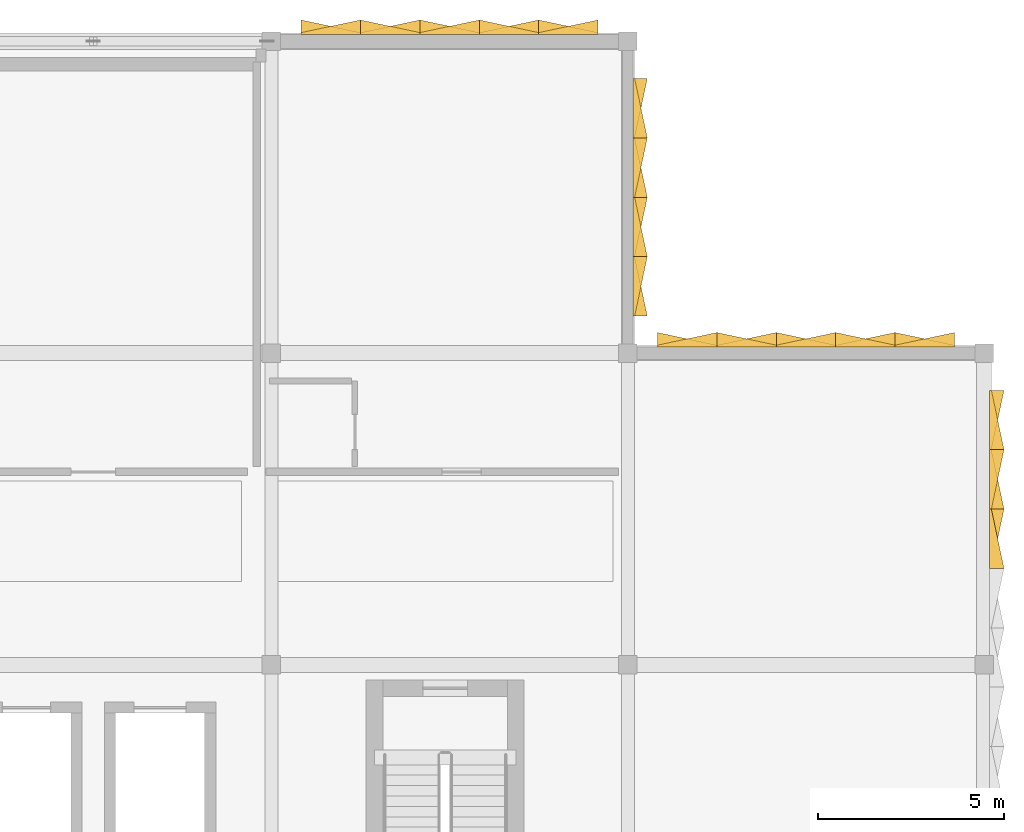
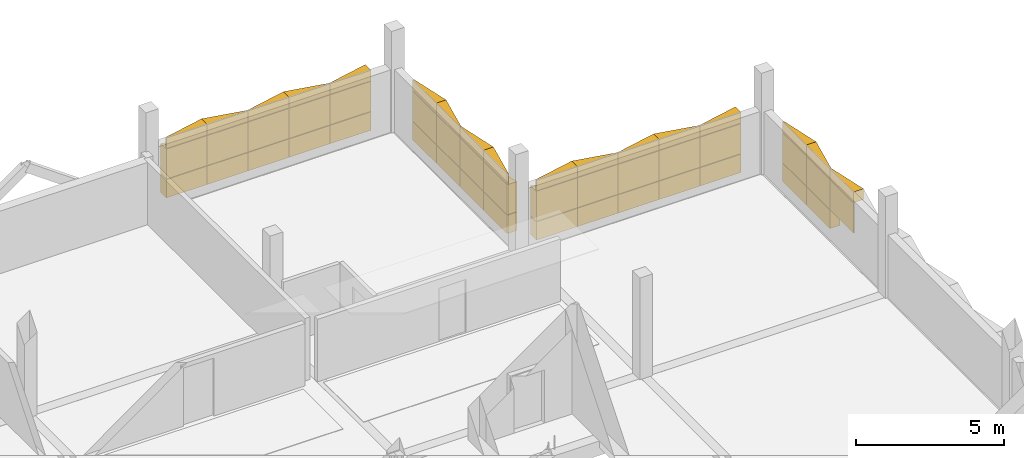
# One storey, part 13 of 13: 50 coverings.
"""IFC4 building model written with IfcOpenShell, lengths in metres."""

from ifc_helpers import new_model, si_unit, direction, frame, origin, place, context, subcontext, project, spatial, polyline, outline, extrude, material, type_object, element, save


model = new_model("IFC4")

# Units and contexts
model_context = context("Model", 3, precision=1e-05, world=origin(), true_north=direction((0.0, 1.0)))
body_context = subcontext(model_context, "Body", "Model", "MODEL_VIEW")
ifc_project = project(units=[si_unit("LENGTHUNIT", "METRE"), si_unit("AREAUNIT", "SQUARE_METRE"), si_unit("VOLUMEUNIT", "CUBIC_METRE"), si_unit("PLANEANGLEUNIT", "RADIAN"), si_unit("MASSUNIT", "GRAM", prefix="KILO")], contexts=[model_context])

# Site, building, storey
site_placement = place(None, origin())
site = spatial("IfcSite", under=ifc_project, at=site_placement, CompositionType="ELEMENT")
building_placement = place(site_placement, origin())
building = spatial("IfcBuilding", under=site, at=building_placement, Name="Oolite Switchyard Hospital", CompositionType="ELEMENT")
storey_placement = place(building_placement, frame((0.0, 0.0, 30.39990234375)))
storey = spatial("IfcBuildingStorey", under=building, at=storey_placement, Name="L07", CompositionType="ELEMENT", Elevation=30.39990234375)

# Coverings
ifc_material = material(Name="Precast oolitic limestone architectural concrete C40/50", Category="masonry")
covering_type = type_object("IfcCoveringType", Name="COV-CHEV-COOL", PredefinedType="CLADDING", material=ifc_material)
covering_1_placement = place(storey_placement, frame((202.39990234375, 126.169921875, 0.050048828125), z_axis=(0.0, 0.0, 1.0), x_axis=(1.0, 0.0, 0.0)))
element("IfcCovering", 1, at=covering_1_placement, inside=storey, type_object=covering_type, Name="L07 Chevron Precast Oolite Panel 1778", PredefinedType="CLADDING", context=body_context, shape_type="SweptSolid", body=[
    extrude(outline(polyline([(0.0, 0.0), (1.60009765625, 0.0), (1.60009765625, 0.044921875), (0.0, 0.385009765625), (0.0, 0.0)])), origin(), (0.0, 0.0, 1.0), 0.760009765625),
])
covering_2_placement = place(storey_placement, frame((202.39990234375, 126.169921875, 2.090087890625), z_axis=(0.0, 0.0, 1.0), x_axis=(1.0, 0.0, 0.0)))
element("IfcCovering", 2, at=covering_2_placement, inside=storey, type_object=covering_type, Name="L07 Chevron Precast Oolite Panel 1779", PredefinedType="CLADDING", context=body_context, shape_type="SweptSolid", body=[
    extrude(outline(polyline([(0.0, 0.0), (1.60009765625, 0.0), (1.60009765625, 0.385009765625), (0.0, 0.044921875), (0.0, 0.0)])), origin(), (0.0, 0.0, 1.0), 0.43994140625),
])
covering_3_placement = place(storey_placement, frame((202.39990234375, 126.169921875, 0.830078125), z_axis=(0.0, 0.0, 1.0), x_axis=(1.0, 0.0, 0.0)))
element("IfcCovering", 3, at=covering_3_placement, inside=storey, type_object=covering_type, Name="L07 Chevron Precast Oolite Panel 1780", PredefinedType="CLADDING", context=body_context, shape_type="SweptSolid", body=[
    extrude(outline(polyline([(0.0, 0.0), (1.60009765625, 0.0), (1.60009765625, 0.044921875), (0.0, 0.385009765625), (0.0, 0.0)])), origin(), (0.0, 0.0, 1.0), 1.239990234375),
])
covering_4_placement = place(storey_placement, frame((204.0, 126.169921875, 0.050048828125), z_axis=(0.0, 0.0, 1.0), x_axis=(1.0, 0.0, 0.0)))
element("IfcCovering", 4, at=covering_4_placement, inside=storey, type_object=covering_type, Name="L07 Chevron Precast Oolite Panel 1781", PredefinedType="CLADDING", context=body_context, shape_type="SweptSolid", body=[
    extrude(outline(polyline([(0.0, 0.0), (1.60009765625, 0.0), (1.60009765625, 0.385009765625), (0.0, 0.044921875), (0.0, 0.0)])), origin(), (0.0, 0.0, 1.0), 0.760009765625),
])
covering_5_placement = place(storey_placement, frame((204.0, 126.169921875, 2.090087890625), z_axis=(0.0, 0.0, 1.0), x_axis=(1.0, 0.0, 0.0)))
element("IfcCovering", 5, at=covering_5_placement, inside=storey, type_object=covering_type, Name="L07 Chevron Precast Oolite Panel 1782", PredefinedType="CLADDING", context=body_context, shape_type="SweptSolid", body=[
    extrude(outline(polyline([(0.0, 0.0), (1.60009765625, 0.0), (1.60009765625, 0.044921875), (0.0, 0.385009765625), (0.0, 0.0)])), origin(), (0.0, 0.0, 1.0), 0.43994140625),
])
covering_6_placement = place(storey_placement, frame((204.0, 126.169921875, 0.830078125), z_axis=(0.0, 0.0, 1.0), x_axis=(1.0, 0.0, 0.0)))
element("IfcCovering", 6, at=covering_6_placement, inside=storey, type_object=covering_type, Name="L07 Chevron Precast Oolite Panel 1783", PredefinedType="CLADDING", context=body_context, shape_type="SweptSolid", body=[
    extrude(outline(polyline([(0.0, 0.0), (1.60009765625, 0.0), (1.60009765625, 0.385009765625), (0.0, 0.044921875), (0.0, 0.0)])), origin(), (0.0, 0.0, 1.0), 1.239990234375),
])
covering_7_placement = place(storey_placement, frame((205.60009765625, 126.169921875, 0.050048828125), z_axis=(0.0, 0.0, 1.0), x_axis=(1.0, 0.0, 0.0)))
element("IfcCovering", 7, at=covering_7_placement, inside=storey, type_object=covering_type, Name="L07 Chevron Precast Oolite Panel 1784", PredefinedType="CLADDING", context=body_context, shape_type="SweptSolid", body=[
    extrude(outline(polyline([(0.0, 0.0), (1.599853515625, 0.0), (1.599853515625, 0.044921875), (0.0, 0.385009765625), (0.0, 0.0)])), origin(), (0.0, 0.0, 1.0), 0.760009765625),
])
covering_8_placement = place(storey_placement, frame((205.60009765625, 126.169921875, 2.090087890625), z_axis=(0.0, 0.0, 1.0), x_axis=(1.0, 0.0, 0.0)))
element("IfcCovering", 8, at=covering_8_placement, inside=storey, type_object=covering_type, Name="L07 Chevron Precast Oolite Panel 1785", PredefinedType="CLADDING", context=body_context, shape_type="SweptSolid", body=[
    extrude(outline(polyline([(0.0, 0.0), (1.599853515625, 0.0), (1.599853515625, 0.385009765625), (0.0, 0.044921875), (0.0, 0.0)])), origin(), (0.0, 0.0, 1.0), 0.43994140625),
])
covering_9_placement = place(storey_placement, frame((205.60009765625, 126.169921875, 0.830078125), z_axis=(0.0, 0.0, 1.0), x_axis=(1.0, 0.0, 0.0)))
element("IfcCovering", 9, at=covering_9_placement, inside=storey, type_object=covering_type, Name="L07 Chevron Precast Oolite Panel 1786", PredefinedType="CLADDING", context=body_context, shape_type="SweptSolid", body=[
    extrude(outline(polyline([(0.0, 0.0), (1.599853515625, 0.0), (1.599853515625, 0.044921875), (0.0, 0.385009765625), (0.0, 0.0)])), origin(), (0.0, 0.0, 1.0), 1.239990234375),
])
covering_10_placement = place(storey_placement, frame((207.199951171875, 126.169921875, 0.050048828125), z_axis=(0.0, 0.0, 1.0), x_axis=(1.0, 0.0, 0.0)))
element("IfcCovering", 10, at=covering_10_placement, inside=storey, type_object=covering_type, Name="L07 Chevron Precast Oolite Panel 1787", PredefinedType="CLADDING", context=body_context, shape_type="SweptSolid", body=[
    extrude(outline(polyline([(0.0, 0.0), (1.60009765625, 0.0), (1.60009765625, 0.385009765625), (0.0, 0.044921875), (0.0, 0.0)])), origin(), (0.0, 0.0, 1.0), 0.760009765625),
])
covering_11_placement = place(storey_placement, frame((207.199951171875, 126.169921875, 2.090087890625), z_axis=(0.0, 0.0, 1.0), x_axis=(1.0, 0.0, 0.0)))
element("IfcCovering", 11, at=covering_11_placement, inside=storey, type_object=covering_type, Name="L07 Chevron Precast Oolite Panel 1788", PredefinedType="CLADDING", context=body_context, shape_type="SweptSolid", body=[
    extrude(outline(polyline([(0.0, 0.0), (1.60009765625, 0.0), (1.60009765625, 0.044921875), (0.0, 0.385009765625), (0.0, 0.0)])), origin(), (0.0, 0.0, 1.0), 0.43994140625),
])
covering_12_placement = place(storey_placement, frame((207.199951171875, 126.169921875, 0.830078125), z_axis=(0.0, 0.0, 1.0), x_axis=(1.0, 0.0, 0.0)))
element("IfcCovering", 12, at=covering_12_placement, inside=storey, type_object=covering_type, Name="L07 Chevron Precast Oolite Panel 1789", PredefinedType="CLADDING", context=body_context, shape_type="SweptSolid", body=[
    extrude(outline(polyline([(0.0, 0.0), (1.60009765625, 0.0), (1.60009765625, 0.385009765625), (0.0, 0.044921875), (0.0, 0.0)])), origin(), (0.0, 0.0, 1.0), 1.239990234375),
])
covering_13_placement = place(storey_placement, frame((208.800048828125, 126.169921875, 0.050048828125), z_axis=(0.0, 0.0, 1.0), x_axis=(1.0, 0.0, 0.0)))
element("IfcCovering", 13, at=covering_13_placement, inside=storey, type_object=covering_type, Name="L07 Chevron Precast Oolite Panel 1790", PredefinedType="CLADDING", context=body_context, shape_type="SweptSolid", body=[
    extrude(outline(polyline([(0.0, 0.0), (1.599853515625, 0.0), (1.599853515625, 0.044921875), (0.0, 0.385009765625), (0.0, 0.0)])), origin(), (0.0, 0.0, 1.0), 0.760009765625),
])
covering_14_placement = place(storey_placement, frame((208.800048828125, 126.169921875, 2.090087890625), z_axis=(0.0, 0.0, 1.0), x_axis=(1.0, 0.0, 0.0)))
element("IfcCovering", 14, at=covering_14_placement, inside=storey, type_object=covering_type, Name="L07 Chevron Precast Oolite Panel 1791", PredefinedType="CLADDING", context=body_context, shape_type="SweptSolid", body=[
    extrude(outline(polyline([(0.0, 0.0), (1.599853515625, 0.0), (1.599853515625, 0.385009765625), (0.0, 0.044921875), (0.0, 0.0)])), origin(), (0.0, 0.0, 1.0), 0.43994140625),
])
covering_15_placement = place(storey_placement, frame((208.800048828125, 126.169921875, 0.830078125), z_axis=(0.0, 0.0, 1.0), x_axis=(1.0, 0.0, 0.0)))
element("IfcCovering", 15, at=covering_15_placement, inside=storey, type_object=covering_type, Name="L07 Chevron Precast Oolite Panel 1792", PredefinedType="CLADDING", context=body_context, shape_type="SweptSolid", body=[
    extrude(outline(polyline([(0.0, 0.0), (1.599853515625, 0.0), (1.599853515625, 0.044921875), (0.0, 0.385009765625), (0.0, 0.0)])), origin(), (0.0, 0.0, 1.0), 1.239990234375),
])
covering_16_placement = place(storey_placement, frame((192.800048828125, 134.590087890625, 0.050048828125), z_axis=(0.0, 0.0, 1.0), x_axis=(1.0, 0.0, 0.0)))
element("IfcCovering", 16, at=covering_16_placement, inside=storey, type_object=covering_type, Name="L07 Chevron Precast Oolite Panel 1829", PredefinedType="CLADDING", context=body_context, shape_type="SweptSolid", body=[
    extrude(outline(polyline([(0.0, 0.0), (1.599853515625, 0.0), (1.599853515625, 0.044921875), (0.0, 0.385009765625), (0.0, 0.0)])), origin(), (0.0, 0.0, 1.0), 0.760009765625),
])
covering_17_placement = place(storey_placement, frame((192.800048828125, 134.590087890625, 2.090087890625), z_axis=(0.0, 0.0, 1.0), x_axis=(1.0, 0.0, 0.0)))
element("IfcCovering", 17, at=covering_17_placement, inside=storey, type_object=covering_type, Name="L07 Chevron Precast Oolite Panel 1830", PredefinedType="CLADDING", context=body_context, shape_type="SweptSolid", body=[
    extrude(outline(polyline([(0.0, 0.0), (1.599853515625, 0.0), (1.599853515625, 0.385009765625), (0.0, 0.044921875), (0.0, 0.0)])), origin(), (0.0, 0.0, 1.0), 0.43994140625),
])
covering_18_placement = place(storey_placement, frame((192.800048828125, 134.590087890625, 0.830078125), z_axis=(0.0, 0.0, 1.0), x_axis=(1.0, 0.0, 0.0)))
element("IfcCovering", 18, at=covering_18_placement, inside=storey, type_object=covering_type, Name="L07 Chevron Precast Oolite Panel 1831", PredefinedType="CLADDING", context=body_context, shape_type="SweptSolid", body=[
    extrude(outline(polyline([(0.0, 0.0), (1.599853515625, 0.0), (1.599853515625, 0.044921875), (0.0, 0.385009765625), (0.0, 0.0)])), origin(), (0.0, 0.0, 1.0), 1.239990234375),
])
covering_19_placement = place(storey_placement, frame((194.39990234375, 134.590087890625, 0.050048828125), z_axis=(0.0, 0.0, 1.0), x_axis=(1.0, 0.0, 0.0)))
element("IfcCovering", 19, at=covering_19_placement, inside=storey, type_object=covering_type, Name="L07 Chevron Precast Oolite Panel 1832", PredefinedType="CLADDING", context=body_context, shape_type="SweptSolid", body=[
    extrude(outline(polyline([(0.0, 0.0), (1.60009765625, 0.0), (1.60009765625, 0.385009765625), (0.0, 0.044921875), (0.0, 0.0)])), origin(), (0.0, 0.0, 1.0), 0.760009765625),
])
covering_20_placement = place(storey_placement, frame((194.39990234375, 134.590087890625, 2.090087890625), z_axis=(0.0, 0.0, 1.0), x_axis=(1.0, 0.0, 0.0)))
element("IfcCovering", 20, at=covering_20_placement, inside=storey, type_object=covering_type, Name="L07 Chevron Precast Oolite Panel 1833", PredefinedType="CLADDING", context=body_context, shape_type="SweptSolid", body=[
    extrude(outline(polyline([(0.0, 0.0), (1.60009765625, 0.0), (1.60009765625, 0.044921875), (0.0, 0.385009765625), (0.0, 0.0)])), origin(), (0.0, 0.0, 1.0), 0.43994140625),
])
covering_21_placement = place(storey_placement, frame((194.39990234375, 134.590087890625, 0.830078125), z_axis=(0.0, 0.0, 1.0), x_axis=(1.0, 0.0, 0.0)))
element("IfcCovering", 21, at=covering_21_placement, inside=storey, type_object=covering_type, Name="L07 Chevron Precast Oolite Panel 1834", PredefinedType="CLADDING", context=body_context, shape_type="SweptSolid", body=[
    extrude(outline(polyline([(0.0, 0.0), (1.60009765625, 0.0), (1.60009765625, 0.385009765625), (0.0, 0.044921875), (0.0, 0.0)])), origin(), (0.0, 0.0, 1.0), 1.239990234375),
])
covering_22_placement = place(storey_placement, frame((196.0, 134.590087890625, 0.050048828125), z_axis=(0.0, 0.0, 1.0), x_axis=(1.0, 0.0, 0.0)))
element("IfcCovering", 22, at=covering_22_placement, inside=storey, type_object=covering_type, Name="L07 Chevron Precast Oolite Panel 1835", PredefinedType="CLADDING", context=body_context, shape_type="SweptSolid", body=[
    extrude(outline(polyline([(0.0, 0.0), (1.60009765625, 0.0), (1.60009765625, 0.044921875), (0.0, 0.385009765625), (0.0, 0.0)])), origin(), (0.0, 0.0, 1.0), 0.760009765625),
])
covering_23_placement = place(storey_placement, frame((196.0, 134.590087890625, 2.090087890625), z_axis=(0.0, 0.0, 1.0), x_axis=(1.0, 0.0, 0.0)))
element("IfcCovering", 23, at=covering_23_placement, inside=storey, type_object=covering_type, Name="L07 Chevron Precast Oolite Panel 1836", PredefinedType="CLADDING", context=body_context, shape_type="SweptSolid", body=[
    extrude(outline(polyline([(0.0, 0.0), (1.60009765625, 0.0), (1.60009765625, 0.385009765625), (0.0, 0.044921875), (0.0, 0.0)])), origin(), (0.0, 0.0, 1.0), 0.43994140625),
])
covering_24_placement = place(storey_placement, frame((196.0, 134.590087890625, 0.830078125), z_axis=(0.0, 0.0, 1.0), x_axis=(1.0, 0.0, 0.0)))
element("IfcCovering", 24, at=covering_24_placement, inside=storey, type_object=covering_type, Name="L07 Chevron Precast Oolite Panel 1837", PredefinedType="CLADDING", context=body_context, shape_type="SweptSolid", body=[
    extrude(outline(polyline([(0.0, 0.0), (1.60009765625, 0.0), (1.60009765625, 0.044921875), (0.0, 0.385009765625), (0.0, 0.0)])), origin(), (0.0, 0.0, 1.0), 1.239990234375),
])
covering_25_placement = place(storey_placement, frame((197.60009765625, 134.590087890625, 0.050048828125), z_axis=(0.0, 0.0, 1.0), x_axis=(1.0, 0.0, 0.0)))
element("IfcCovering", 25, at=covering_25_placement, inside=storey, type_object=covering_type, Name="L07 Chevron Precast Oolite Panel 1838", PredefinedType="CLADDING", context=body_context, shape_type="SweptSolid", body=[
    extrude(outline(polyline([(0.0, 0.0), (1.599853515625, 0.0), (1.599853515625, 0.385009765625), (0.0, 0.044921875), (0.0, 0.0)])), origin(), (0.0, 0.0, 1.0), 0.760009765625),
])
covering_26_placement = place(storey_placement, frame((197.60009765625, 134.590087890625, 2.090087890625), z_axis=(0.0, 0.0, 1.0), x_axis=(1.0, 0.0, 0.0)))
element("IfcCovering", 26, at=covering_26_placement, inside=storey, type_object=covering_type, Name="L07 Chevron Precast Oolite Panel 1839", PredefinedType="CLADDING", context=body_context, shape_type="SweptSolid", body=[
    extrude(outline(polyline([(0.0, 0.0), (1.599853515625, 0.0), (1.599853515625, 0.044921875), (0.0, 0.385009765625), (0.0, 0.0)])), origin(), (0.0, 0.0, 1.0), 0.43994140625),
])
covering_27_placement = place(storey_placement, frame((197.60009765625, 134.590087890625, 0.830078125), z_axis=(0.0, 0.0, 1.0), x_axis=(1.0, 0.0, 0.0)))
element("IfcCovering", 27, at=covering_27_placement, inside=storey, type_object=covering_type, Name="L07 Chevron Precast Oolite Panel 1840", PredefinedType="CLADDING", context=body_context, shape_type="SweptSolid", body=[
    extrude(outline(polyline([(0.0, 0.0), (1.599853515625, 0.0), (1.599853515625, 0.385009765625), (0.0, 0.044921875), (0.0, 0.0)])), origin(), (0.0, 0.0, 1.0), 1.239990234375),
])
covering_28_placement = place(storey_placement, frame((199.199951171875, 134.590087890625, 0.050048828125), z_axis=(0.0, 0.0, 1.0), x_axis=(1.0, 0.0, 0.0)))
element("IfcCovering", 28, at=covering_28_placement, inside=storey, type_object=covering_type, Name="L07 Chevron Precast Oolite Panel 1841", PredefinedType="CLADDING", context=body_context, shape_type="SweptSolid", body=[
    extrude(outline(polyline([(0.0, 0.0), (1.60009765625, 0.0), (1.60009765625, 0.044921875), (0.0, 0.385009765625), (0.0, 0.0)])), origin(), (0.0, 0.0, 1.0), 0.760009765625),
])
covering_29_placement = place(storey_placement, frame((199.199951171875, 134.590087890625, 2.090087890625), z_axis=(0.0, 0.0, 1.0), x_axis=(1.0, 0.0, 0.0)))
element("IfcCovering", 29, at=covering_29_placement, inside=storey, type_object=covering_type, Name="L07 Chevron Precast Oolite Panel 1842", PredefinedType="CLADDING", context=body_context, shape_type="SweptSolid", body=[
    extrude(outline(polyline([(0.0, 0.0), (1.60009765625, 0.0), (1.60009765625, 0.385009765625), (0.0, 0.044921875), (0.0, 0.0)])), origin(), (0.0, 0.0, 1.0), 0.43994140625),
])
covering_30_placement = place(storey_placement, frame((199.199951171875, 134.590087890625, 0.830078125), z_axis=(0.0, 0.0, 1.0), x_axis=(1.0, 0.0, 0.0)))
element("IfcCovering", 30, at=covering_30_placement, inside=storey, type_object=covering_type, Name="L07 Chevron Precast Oolite Panel 1843", PredefinedType="CLADDING", context=body_context, shape_type="SweptSolid", body=[
    extrude(outline(polyline([(0.0, 0.0), (1.60009765625, 0.0), (1.60009765625, 0.044921875), (0.0, 0.385009765625), (0.0, 0.0)])), origin(), (0.0, 0.0, 1.0), 1.239990234375),
])
covering_31_placement = place(storey_placement, frame((201.739990234375, 133.39990234375, 0.050048828125), z_axis=(0.0, 0.0, 1.0), x_axis=(0.0, -1.0, 0.0)))
element("IfcCovering", 31, at=covering_31_placement, inside=storey, type_object=covering_type, Name="L07 Chevron Precast Oolite Panel 1892", PredefinedType="CLADDING", context=body_context, shape_type="SweptSolid", body=[
    extrude(outline(polyline([(0.0, 0.0), (1.599853515625, 0.0), (1.599853515625, 0.044921875), (0.0, 0.385009765625), (0.0, 0.0)])), origin(), (0.0, 0.0, 1.0), 0.760009765625),
])
covering_32_placement = place(storey_placement, frame((201.739990234375, 133.39990234375, 2.090087890625), z_axis=(0.0, 0.0, 1.0), x_axis=(0.0, -1.0, 0.0)))
element("IfcCovering", 32, at=covering_32_placement, inside=storey, type_object=covering_type, Name="L07 Chevron Precast Oolite Panel 1893", PredefinedType="CLADDING", context=body_context, shape_type="SweptSolid", body=[
    extrude(outline(polyline([(0.0, 0.0), (1.599853515625, 0.0), (1.599853515625, 0.385009765625), (0.0, 0.044921875), (0.0, 0.0)])), origin(), (0.0, 0.0, 1.0), 0.43994140625),
])
covering_33_placement = place(storey_placement, frame((201.739990234375, 133.39990234375, 0.830078125), z_axis=(0.0, 0.0, 1.0), x_axis=(0.0, -1.0, 0.0)))
element("IfcCovering", 33, at=covering_33_placement, inside=storey, type_object=covering_type, Name="L07 Chevron Precast Oolite Panel 1894", PredefinedType="CLADDING", context=body_context, shape_type="SweptSolid", body=[
    extrude(outline(polyline([(0.0, 0.0), (1.599853515625, 0.0), (1.599853515625, 0.044921875), (0.0, 0.385009765625), (0.0, 0.0)])), origin(), (0.0, 0.0, 1.0), 1.239990234375),
])
covering_34_placement = place(storey_placement, frame((201.739990234375, 131.800048828125, 0.050048828125), z_axis=(0.0, 0.0, 1.0), x_axis=(0.0, -1.0, 0.0)))
element("IfcCovering", 34, at=covering_34_placement, inside=storey, type_object=covering_type, Name="L07 Chevron Precast Oolite Panel 1895", PredefinedType="CLADDING", context=body_context, shape_type="SweptSolid", body=[
    extrude(outline(polyline([(0.0, 0.0), (1.60009765625, 0.0), (1.60009765625, 0.385009765625), (0.0, 0.044921875), (0.0, 0.0)])), origin(), (0.0, 0.0, 1.0), 0.760009765625),
])
covering_35_placement = place(storey_placement, frame((201.739990234375, 131.800048828125, 2.090087890625), z_axis=(0.0, 0.0, 1.0), x_axis=(0.0, -1.0, 0.0)))
element("IfcCovering", 35, at=covering_35_placement, inside=storey, type_object=covering_type, Name="L07 Chevron Precast Oolite Panel 1896", PredefinedType="CLADDING", context=body_context, shape_type="SweptSolid", body=[
    extrude(outline(polyline([(0.0, 0.0), (1.60009765625, 0.0), (1.60009765625, 0.044921875), (0.0, 0.385009765625), (0.0, 0.0)])), origin(), (0.0, 0.0, 1.0), 0.43994140625),
])
covering_36_placement = place(storey_placement, frame((201.739990234375, 131.800048828125, 0.830078125), z_axis=(0.0, 0.0, 1.0), x_axis=(0.0, -1.0, 0.0)))
element("IfcCovering", 36, at=covering_36_placement, inside=storey, type_object=covering_type, Name="L07 Chevron Precast Oolite Panel 1897", PredefinedType="CLADDING", context=body_context, shape_type="SweptSolid", body=[
    extrude(outline(polyline([(0.0, 0.0), (1.60009765625, 0.0), (1.60009765625, 0.385009765625), (0.0, 0.044921875), (0.0, 0.0)])), origin(), (0.0, 0.0, 1.0), 1.239990234375),
])
covering_37_placement = place(storey_placement, frame((201.739990234375, 130.199951171875, 0.050048828125), z_axis=(0.0, 0.0, 1.0), x_axis=(0.0, -1.0, 0.0)))
element("IfcCovering", 37, at=covering_37_placement, inside=storey, type_object=covering_type, Name="L07 Chevron Precast Oolite Panel 1898", PredefinedType="CLADDING", context=body_context, shape_type="SweptSolid", body=[
    extrude(outline(polyline([(0.0, 0.0), (1.599853515625, 0.0), (1.599853515625, 0.044921875), (0.0, 0.385009765625), (0.0, 0.0)])), origin(), (0.0, 0.0, 1.0), 0.760009765625),
])
covering_38_placement = place(storey_placement, frame((201.739990234375, 130.199951171875, 2.090087890625), z_axis=(0.0, 0.0, 1.0), x_axis=(0.0, -1.0, 0.0)))
element("IfcCovering", 38, at=covering_38_placement, inside=storey, type_object=covering_type, Name="L07 Chevron Precast Oolite Panel 1899", PredefinedType="CLADDING", context=body_context, shape_type="SweptSolid", body=[
    extrude(outline(polyline([(0.0, 0.0), (1.599853515625, 0.0), (1.599853515625, 0.385009765625), (0.0, 0.044921875), (0.0, 0.0)])), origin(), (0.0, 0.0, 1.0), 0.43994140625),
])
covering_39_placement = place(storey_placement, frame((201.739990234375, 130.199951171875, 0.830078125), z_axis=(0.0, 0.0, 1.0), x_axis=(0.0, -1.0, 0.0)))
element("IfcCovering", 39, at=covering_39_placement, inside=storey, type_object=covering_type, Name="L07 Chevron Precast Oolite Panel 1900", PredefinedType="CLADDING", context=body_context, shape_type="SweptSolid", body=[
    extrude(outline(polyline([(0.0, 0.0), (1.599853515625, 0.0), (1.599853515625, 0.044921875), (0.0, 0.385009765625), (0.0, 0.0)])), origin(), (0.0, 0.0, 1.0), 1.239990234375),
])
covering_40_placement = place(storey_placement, frame((201.739990234375, 128.60009765625, 0.050048828125), z_axis=(0.0, 0.0, 1.0), x_axis=(0.0, -1.0, 0.0)))
element("IfcCovering", 40, at=covering_40_placement, inside=storey, type_object=covering_type, Name="L07 Chevron Precast Oolite Panel 1901", PredefinedType="CLADDING", context=body_context, shape_type="SweptSolid", body=[
    extrude(outline(polyline([(0.0, 0.0), (1.60009765625, 0.0), (1.60009765625, 0.385009765625), (0.0, 0.044921875), (0.0, 0.0)])), origin(), (0.0, 0.0, 1.0), 0.760009765625),
])
covering_41_placement = place(storey_placement, frame((201.739990234375, 128.60009765625, 2.090087890625), z_axis=(0.0, 0.0, 1.0), x_axis=(0.0, -1.0, 0.0)))
element("IfcCovering", 41, at=covering_41_placement, inside=storey, type_object=covering_type, Name="L07 Chevron Precast Oolite Panel 1902", PredefinedType="CLADDING", context=body_context, shape_type="SweptSolid", body=[
    extrude(outline(polyline([(0.0, 0.0), (1.60009765625, 0.0), (1.60009765625, 0.044921875), (0.0, 0.385009765625), (0.0, 0.0)])), origin(), (0.0, 0.0, 1.0), 0.43994140625),
])
covering_42_placement = place(storey_placement, frame((201.739990234375, 128.60009765625, 0.830078125), z_axis=(0.0, 0.0, 1.0), x_axis=(0.0, -1.0, 0.0)))
element("IfcCovering", 42, at=covering_42_placement, inside=storey, type_object=covering_type, Name="L07 Chevron Precast Oolite Panel 1903", PredefinedType="CLADDING", context=body_context, shape_type="SweptSolid", body=[
    extrude(outline(polyline([(0.0, 0.0), (1.60009765625, 0.0), (1.60009765625, 0.385009765625), (0.0, 0.044921875), (0.0, 0.0)])), origin(), (0.0, 0.0, 1.0), 1.239990234375),
])
covering_43_placement = place(storey_placement, frame((211.35009765625, 125.0, 0.050048828125), z_axis=(0.0, 0.0, 1.0), x_axis=(0.0, -1.0, 0.0)))
element("IfcCovering", 43, at=covering_43_placement, inside=storey, type_object=covering_type, Name="L07 Chevron Precast Oolite Panel 1904", PredefinedType="CLADDING", context=body_context, shape_type="SweptSolid", body=[
    extrude(outline(polyline([(0.0, 0.0), (1.60009765625, 0.0), (1.60009765625, 0.044921875), (0.0, 0.385009765625), (0.0, 0.0)])), origin(), (0.0, 0.0, 1.0), 0.760009765625),
])
covering_44_placement = place(storey_placement, frame((211.35009765625, 125.0, 2.090087890625), z_axis=(0.0, 0.0, 1.0), x_axis=(0.0, -1.0, 0.0)))
element("IfcCovering", 44, at=covering_44_placement, inside=storey, type_object=covering_type, Name="L07 Chevron Precast Oolite Panel 1905", PredefinedType="CLADDING", context=body_context, shape_type="SweptSolid", body=[
    extrude(outline(polyline([(0.0, 0.0), (1.60009765625, 0.0), (1.60009765625, 0.385009765625), (0.0, 0.044921875), (0.0, 0.0)])), origin(), (0.0, 0.0, 1.0), 0.43994140625),
])
covering_45_placement = place(storey_placement, frame((211.35009765625, 125.0, 0.830078125), z_axis=(0.0, 0.0, 1.0), x_axis=(0.0, -1.0, 0.0)))
element("IfcCovering", 45, at=covering_45_placement, inside=storey, type_object=covering_type, Name="L07 Chevron Precast Oolite Panel 1906", PredefinedType="CLADDING", context=body_context, shape_type="SweptSolid", body=[
    extrude(outline(polyline([(0.0, 0.0), (1.60009765625, 0.0), (1.60009765625, 0.044921875), (0.0, 0.385009765625), (0.0, 0.0)])), origin(), (0.0, 0.0, 1.0), 1.239990234375),
])
covering_46_placement = place(storey_placement, frame((211.35009765625, 123.39990234375, 0.050048828125), z_axis=(0.0, 0.0, 1.0), x_axis=(0.0, -1.0, 0.0)))
element("IfcCovering", 46, at=covering_46_placement, inside=storey, type_object=covering_type, Name="L07 Chevron Precast Oolite Panel 1907", PredefinedType="CLADDING", context=body_context, shape_type="SweptSolid", body=[
    extrude(outline(polyline([(0.0, 0.0), (1.599853515625, 0.0), (1.599853515625, 0.385009765625), (0.0, 0.044921875), (0.0, 0.0)])), origin(), (0.0, 0.0, 1.0), 0.760009765625),
])
covering_47_placement = place(storey_placement, frame((211.35009765625, 123.39990234375, 2.090087890625), z_axis=(0.0, 0.0, 1.0), x_axis=(0.0, -1.0, 0.0)))
element("IfcCovering", 47, at=covering_47_placement, inside=storey, type_object=covering_type, Name="L07 Chevron Precast Oolite Panel 1908", PredefinedType="CLADDING", context=body_context, shape_type="SweptSolid", body=[
    extrude(outline(polyline([(0.0, 0.0), (1.599853515625, 0.0), (1.599853515625, 0.044921875), (0.0, 0.385009765625), (0.0, 0.0)])), origin(), (0.0, 0.0, 1.0), 0.43994140625),
])
covering_48_placement = place(storey_placement, frame((211.35009765625, 123.39990234375, 0.830078125), z_axis=(0.0, 0.0, 1.0), x_axis=(0.0, -1.0, 0.0)))
element("IfcCovering", 48, at=covering_48_placement, inside=storey, type_object=covering_type, Name="L07 Chevron Precast Oolite Panel 1909", PredefinedType="CLADDING", context=body_context, shape_type="SweptSolid", body=[
    extrude(outline(polyline([(0.0, 0.0), (1.599853515625, 0.0), (1.599853515625, 0.385009765625), (0.0, 0.044921875), (0.0, 0.0)])), origin(), (0.0, 0.0, 1.0), 1.239990234375),
])
covering_49_placement = place(storey_placement, frame((211.35009765625, 121.800048828125, 2.090087890625), z_axis=(0.0, 0.0, 1.0), x_axis=(0.0, -1.0, 0.0)))
element("IfcCovering", 49, at=covering_49_placement, inside=storey, type_object=covering_type, Name="L07 Chevron Precast Oolite Panel 1911", PredefinedType="CLADDING", context=body_context, shape_type="SweptSolid", body=[
    extrude(outline(polyline([(0.0, 0.0), (1.60009765625, 0.0), (1.60009765625, 0.385009765625), (0.0, 0.044921875), (0.0, 0.0)])), origin(), (0.0, 0.0, 1.0), 0.43994140625),
])
covering_50_placement = place(storey_placement, frame((211.35009765625, 121.800048828125, 0.830078125), z_axis=(0.0, 0.0, 1.0), x_axis=(0.0, -1.0, 0.0)))
element("IfcCovering", 50, at=covering_50_placement, inside=storey, type_object=covering_type, Name="L07 Chevron Precast Oolite Panel 1912", PredefinedType="CLADDING", context=body_context, shape_type="SweptSolid", body=[
    extrude(outline(polyline([(0.0, 0.0), (1.60009765625, 0.0), (1.60009765625, 0.044921875), (0.0, 0.385009765625), (0.0, 0.0)])), origin(), (0.0, 0.0, 1.0), 1.239990234375),
])

save(model, "model.ifc")
